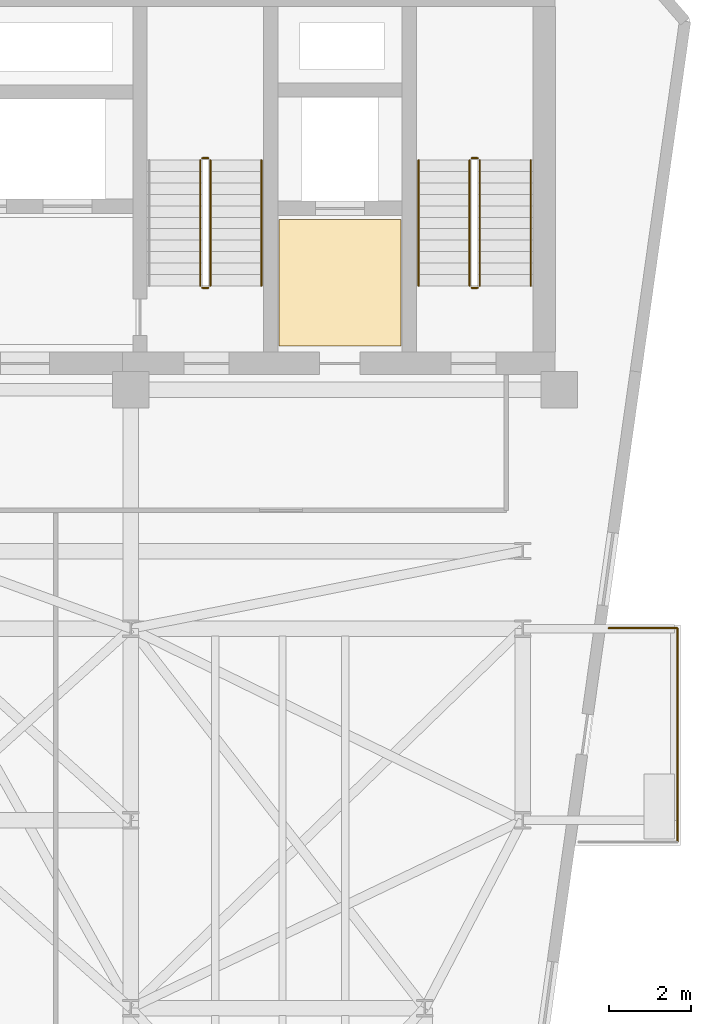
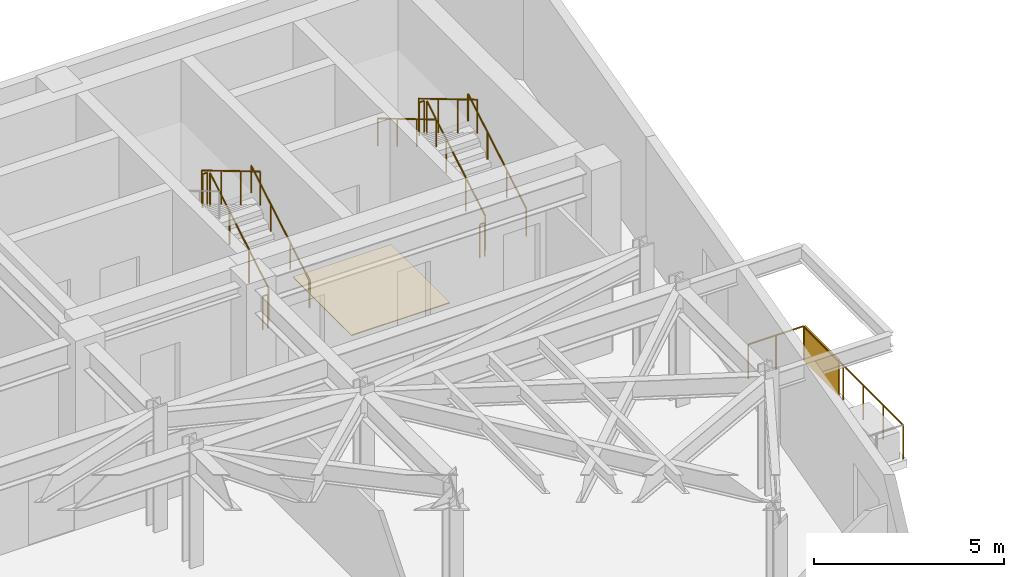
# One storey, part 27 of 27: 13 railings, 1 covering, 1 shading device.
"""IFC4 building model written with IfcOpenShell, lengths in metres."""

from ifc_helpers import new_model, si_unit, direction, frame, origin, origin_2d, place, context, subcontext, project, spatial, polyline, rectangle, circle, outline, extrude, material, layer, layer_set, type_object, element, save


model = new_model("IFC4")

# Units and contexts
model_context = context("Model", 3, precision=1e-05, world=origin(), true_north=direction((0.0, 1.0)))
body_context = subcontext(model_context, "Body", "Model", "MODEL_VIEW")
ifc_project = project(units=[si_unit("LENGTHUNIT", "METRE"), si_unit("AREAUNIT", "SQUARE_METRE"), si_unit("VOLUMEUNIT", "CUBIC_METRE"), si_unit("PLANEANGLEUNIT", "RADIAN"), si_unit("MASSUNIT", "GRAM", prefix="KILO")], contexts=[model_context])

# Site, building, storey
site_placement = place(None, origin())
site = spatial("IfcSite", under=ifc_project, at=site_placement, CompositionType="ELEMENT")
building_placement = place(site_placement, origin())
building = spatial("IfcBuilding", under=site, at=building_placement, Name="Kravanh Interchange Tower", CompositionType="ELEMENT")
storey_placement = place(building_placement, frame((0.0, 0.0, 164.5)))
storey = spatial("IfcBuildingStorey", under=building, at=storey_placement, Name="L39", CompositionType="ELEMENT", Elevation=164.5)

# Covering
ifc_material_1 = material(Name="Cementitious Terrazzo Tile")
ifc_layer_1 = layer(ifc_material_1, 0.030029296875)
ifc_layer_set_1 = layer_set([ifc_layer_1], Name="Honed Terrazzo Lobby Flooring 30mm")
covering_type = type_object("IfcCoveringType", Name="Honed Terrazzo Lobby Flooring 30mm", PredefinedType="FLOORING", material=ifc_layer_set_1)
covering_placement = place(storey_placement, origin())
element("IfcCovering", 1, at=covering_placement, inside=storey, type_object=covering_type, Name="L39 Service Lift Lobby Floor Finish", PredefinedType="FLOORING", context=body_context, shape_type="SweptSolid", body=[
    extrude(outline(polyline([(59.6298828125, 41.52001953125), (62.6201171875, 41.52001953125), (62.6201171875, 38.429931640625), (59.6298828125, 38.429931640625), (59.6298828125, 41.52001953125)])), origin(), (0.0, 0.0, 1.0), 0.030029296875),
])

# Shading device
ifc_material_2 = material(Name="Perforated Anodised Bronze Aluminium", Category="aluminium")
ifc_layer_2 = layer(ifc_material_2, 0.0400390625)
ifc_layer_set_2 = layer_set([ifc_layer_2], Name="Perforated Bronze Balcony Privacy Screen 1150mm")
shading_device_type = type_object("IfcShadingDeviceType", Name="Perforated Bronze Balcony Privacy Screen 1150mm", PredefinedType="USERDEFINED", material=ifc_layer_set_2)
shading_device_placement = place(storey_placement, frame((69.39306640625, 30.5400390625, 0.0), z_axis=(0.0, 0.0, 1.0), x_axis=(1.0, 0.0, 0.0)))
element("IfcShadingDevice", 2, at=shading_device_placement, inside=storey, type_object=shading_device_type, Name="L39 E Perforated Bronze BALCONY SCREEN", ObjectType="SCREEN", PredefinedType="USERDEFINED", context=body_context, shape_type="SweptSolid", body=[
    extrude(rectangle(XDim=0.0400390625, YDim=1.800048828125, at=origin_2d()), origin(), (0.0, 0.0, 1.0), 1.14990234375),
])

# Railings
ifc_material_3 = material(Name="Stainless Steel 316", Category="steel")
ifc_layer_3 = layer(ifc_material_3, 0.06005859375)
ifc_layer_set_3 = layer_set([ifc_layer_3], Name="Perimeter Balcony and Terrace Guardrail Stainless 316 1120mm")
railing_type_1 = type_object("IfcRailingType", Name="Perimeter Balcony and Terrace Guardrail Stainless 316 1120mm", PredefinedType="GUARDRAIL", material=ifc_layer_set_3)
railing_1_placement = place(storey_placement, frame((69.39306640625, 31.510009765625, 0.0)))
element("IfcRailing", 3, at=railing_1_placement, inside=storey, type_object=railing_type_1, Name="L39 E Balcony Guardrail 1", PredefinedType="GUARDRAIL", context=body_context, shape_type="SweptSolid", body=[
    extrude(circle(Radius=0.02392578125, at=origin_2d()), frame((0.0, 0.0, 1.09619140625), z_axis=(0.0, -1.0, 0.0), x_axis=(1.0, 0.0, 0.0)), (0.0, 0.0, 1.0), 5.239990234375),
    extrude(circle(Radius=0.02099609375, at=origin_2d()), origin(), (0.0, 0.0, 1.0), 1.072021484375),
    extrude(circle(Radius=0.02099609375, at=origin_2d()), frame((0.0, -1.048095703125, 0.0)), (0.0, 0.0, 1.0), 1.072021484375),
    extrude(circle(Radius=0.02099609375, at=origin_2d()), frame((0.0, -2.095947265625, 0.0)), (0.0, 0.0, 1.0), 1.072021484375),
    extrude(circle(Radius=0.02099609375, at=origin_2d()), frame((0.0, -3.14404296875, 0.0)), (0.0, 0.0, 1.0), 1.072021484375),
    extrude(circle(Radius=0.02099609375, at=origin_2d()), frame((0.0, -4.19189453125, 0.0)), (0.0, 0.0, 1.0), 1.072021484375),
    extrude(circle(Radius=0.02099609375, at=origin_2d()), frame((0.0, -5.239990234375, 0.0)), (0.0, 0.0, 1.0), 1.072021484375),
])
railing_2_placement = place(storey_placement, frame((67.7080078125, 31.510009765625, 0.0)))
element("IfcRailing", 4, at=railing_2_placement, inside=storey, type_object=railing_type_1, Name="L39 E Balcony Guardrail 3", PredefinedType="GUARDRAIL", context=body_context, shape_type="SweptSolid", body=[
    extrude(circle(Radius=0.02392578125, at=origin_2d()), frame((0.0, 0.0, 1.09619140625), z_axis=(1.0, 0.0, 0.0), x_axis=(0.0, 1.0, 0.0)), (0.0, 0.0, 1.0), 1.68505859375),
    extrude(circle(Radius=0.02099609375, at=origin_2d()), origin(), (0.0, 0.0, 1.0), 1.072021484375),
    extrude(circle(Radius=0.02099609375, at=origin_2d()), frame((0.842529296875, 0.0, 0.0)), (0.0, 0.0, 1.0), 1.072021484375),
    extrude(circle(Radius=0.02099609375, at=origin_2d()), frame((1.68505859375, 0.0, 0.0)), (0.0, 0.0, 1.0), 1.072021484375),
])
ifc_material_4 = material(Name="Structural Steel S355", Category="steel")
ifc_layer_4 = layer(ifc_material_4, 0.050048828125)
ifc_layer_set_4 = layer_set([ifc_layer_4], Name="Stair Well Guardrail Structural Steel S355 1100mm")
railing_type_2 = type_object("IfcRailingType", Name="Stair Well Guardrail Structural Steel S355 1100mm", PredefinedType="GUARDRAIL", material=ifc_layer_set_4)
railing_3_placement = place(storey_placement, frame((64.550048828125, 39.89990234375, 0.166748046875)))
element("IfcRailing", 5, at=railing_3_placement, inside=storey, type_object=railing_type_2, Name="L39 ST1 stair guard 1", PredefinedType="GUARDRAIL", context=body_context, shape_type="SweptSolid", body=[
    extrude(circle(Radius=0.02392578125, at=origin_2d()), frame((0.0, 0.0, 1.076171875), z_axis=(0.0, 0.859308565015, 0.511457515432), x_axis=(-1.0, 0.0, 0.0)), (0.0, 0.0, 1.0), 3.58447265625),
    extrude(circle(Radius=0.02099609375, at=origin_2d()), origin(), (0.0, 0.0, 1.0), 1.052001953125),
    extrude(circle(Radius=0.02099609375, at=origin_2d()), frame((0.0, 1.026611328125, 0.611083984375)), (0.0, 0.0, 1.0), 1.052001953125),
    extrude(circle(Radius=0.02099609375, at=origin_2d()), frame((0.0, 2.053466796875, 1.22216796875)), (0.0, 0.0, 1.0), 1.052001953125),
    extrude(circle(Radius=0.02099609375, at=origin_2d()), frame((0.0, 3.080078125, 1.833251953125)), (0.0, 0.0, 1.0), 1.052001953125),
])
railing_4_placement = place(storey_placement, frame((64.5, 43.030029296875, 2.0)))
element("IfcRailing", 6, at=railing_4_placement, inside=storey, type_object=railing_type_2, Name="L39 ST1 stair guard 2", PredefinedType="GUARDRAIL", context=body_context, shape_type="SweptSolid", body=[
    extrude(circle(Radius=0.02392578125, at=origin_2d()), frame((0.0, 0.0, 1.076171875), z_axis=(-1.0, 0.0, 0.0), x_axis=(0.0, -1.0, 0.0)), (0.0, 0.0, 1.0), 0.14990234375),
    extrude(circle(Radius=0.02099609375, at=origin_2d()), origin(), (0.0, 0.0, 1.0), 1.052001953125),
    extrude(circle(Radius=0.02099609375, at=origin_2d()), frame((-0.14990234375, 0.0, 0.0)), (0.0, 0.0, 1.0), 1.052001953125),
])
railing_5_placement = place(storey_placement, frame((64.300048828125, 42.97998046875, 2.166748046875)))
element("IfcRailing", 7, at=railing_5_placement, inside=storey, type_object=railing_type_2, Name="L39 ST1 stair guard 3", PredefinedType="GUARDRAIL", context=body_context, shape_type="SweptSolid", body=[
    extrude(circle(Radius=0.02392578125, at=origin_2d()), frame((0.0, 0.0, 1.076171875), z_axis=(0.0, -0.859308565015, 0.511457515432), x_axis=(1.0, 0.0, 0.0)), (0.0, 0.0, 1.0), 3.58447265625),
    extrude(circle(Radius=0.02099609375, at=origin_2d()), origin(), (0.0, 0.0, 1.0), 1.052001953125),
    extrude(circle(Radius=0.02099609375, at=origin_2d()), frame((0.0, -1.026611328125, 0.611083984375)), (0.0, 0.0, 1.0), 1.052001953125),
    extrude(circle(Radius=0.02099609375, at=origin_2d()), frame((0.0, -2.053466796875, 1.22216796875)), (0.0, 0.0, 1.0), 1.052001953125),
    extrude(circle(Radius=0.02099609375, at=origin_2d()), frame((0.0, -3.080078125, 1.833251953125)), (0.0, 0.0, 1.0), 1.052001953125),
])
railing_6_placement = place(storey_placement, frame((64.5, 39.85009765625, 0.0)))
element("IfcRailing", 8, at=railing_6_placement, inside=storey, type_object=railing_type_2, Name="L39 ST1 stair guard 4", PredefinedType="GUARDRAIL", context=body_context, shape_type="SweptSolid", body=[
    extrude(circle(Radius=0.02392578125, at=origin_2d()), frame((0.0, 0.0, 1.076171875), z_axis=(-1.0, 0.0, 0.0), x_axis=(0.0, -1.0, 0.0)), (0.0, 0.0, 1.0), 0.14990234375),
    extrude(circle(Radius=0.02099609375, at=origin_2d()), origin(), (0.0, 0.0, 1.0), 1.052001953125),
    extrude(circle(Radius=0.02099609375, at=origin_2d()), frame((-0.14990234375, 0.0, 0.0)), (0.0, 0.0, 1.0), 1.052001953125),
])
railing_7_placement = place(storey_placement, frame((57.949951171875, 39.89990234375, 0.166748046875)))
element("IfcRailing", 9, at=railing_7_placement, inside=storey, type_object=railing_type_2, Name="L39 ST2 stair guard 1", PredefinedType="GUARDRAIL", context=body_context, shape_type="SweptSolid", body=[
    extrude(circle(Radius=0.02392578125, at=origin_2d()), frame((0.0, 0.0, 1.076171875), z_axis=(0.0, 0.859308565015, 0.511457515432), x_axis=(-1.0, 0.0, 0.0)), (0.0, 0.0, 1.0), 3.58447265625),
    extrude(circle(Radius=0.02099609375, at=origin_2d()), origin(), (0.0, 0.0, 1.0), 1.052001953125),
    extrude(circle(Radius=0.02099609375, at=origin_2d()), frame((0.0, 1.026611328125, 0.611083984375)), (0.0, 0.0, 1.0), 1.052001953125),
    extrude(circle(Radius=0.02099609375, at=origin_2d()), frame((0.0, 2.053466796875, 1.22216796875)), (0.0, 0.0, 1.0), 1.052001953125),
    extrude(circle(Radius=0.02099609375, at=origin_2d()), frame((0.0, 3.080078125, 1.833251953125)), (0.0, 0.0, 1.0), 1.052001953125),
])
railing_8_placement = place(storey_placement, frame((57.89990234375, 43.030029296875, 2.0)))
element("IfcRailing", 10, at=railing_8_placement, inside=storey, type_object=railing_type_2, Name="L39 ST2 stair guard 2", PredefinedType="GUARDRAIL", context=body_context, shape_type="SweptSolid", body=[
    extrude(circle(Radius=0.02392578125, at=origin_2d()), frame((0.0, 0.0, 1.076171875), z_axis=(-1.0, 0.0, 0.0), x_axis=(0.0, -1.0, 0.0)), (0.0, 0.0, 1.0), 0.14990234375),
    extrude(circle(Radius=0.02099609375, at=origin_2d()), origin(), (0.0, 0.0, 1.0), 1.052001953125),
    extrude(circle(Radius=0.02099609375, at=origin_2d()), frame((-0.14990234375, 0.0, 0.0)), (0.0, 0.0, 1.0), 1.052001953125),
])
railing_9_placement = place(storey_placement, frame((57.699951171875, 42.97998046875, 2.166748046875)))
element("IfcRailing", 11, at=railing_9_placement, inside=storey, type_object=railing_type_2, Name="L39 ST2 stair guard 3", PredefinedType="GUARDRAIL", context=body_context, shape_type="SweptSolid", body=[
    extrude(circle(Radius=0.02392578125, at=origin_2d()), frame((0.0, 0.0, 1.076171875), z_axis=(0.0, -0.859308565015, 0.511457515432), x_axis=(1.0, 0.0, 0.0)), (0.0, 0.0, 1.0), 3.58447265625),
    extrude(circle(Radius=0.02099609375, at=origin_2d()), origin(), (0.0, 0.0, 1.0), 1.052001953125),
    extrude(circle(Radius=0.02099609375, at=origin_2d()), frame((0.0, -1.026611328125, 0.611083984375)), (0.0, 0.0, 1.0), 1.052001953125),
    extrude(circle(Radius=0.02099609375, at=origin_2d()), frame((0.0, -2.053466796875, 1.22216796875)), (0.0, 0.0, 1.0), 1.052001953125),
    extrude(circle(Radius=0.02099609375, at=origin_2d()), frame((0.0, -3.080078125, 1.833251953125)), (0.0, 0.0, 1.0), 1.052001953125),
])
railing_10_placement = place(storey_placement, frame((57.89990234375, 39.85009765625, 0.0)))
element("IfcRailing", 12, at=railing_10_placement, inside=storey, type_object=railing_type_2, Name="L39 ST2 stair guard 4", PredefinedType="GUARDRAIL", context=body_context, shape_type="SweptSolid", body=[
    extrude(circle(Radius=0.02392578125, at=origin_2d()), frame((0.0, 0.0, 1.076171875), z_axis=(-1.0, 0.0, 0.0), x_axis=(0.0, -1.0, 0.0)), (0.0, 0.0, 1.0), 0.14990234375),
    extrude(circle(Radius=0.02099609375, at=origin_2d()), origin(), (0.0, 0.0, 1.0), 1.052001953125),
    extrude(circle(Radius=0.02099609375, at=origin_2d()), frame((-0.14990234375, 0.0, 0.0)), (0.0, 0.0, 1.0), 1.052001953125),
])
ifc_material_5 = material(Name="Stainless Steel 304", Category="steel")
ifc_layer_5 = layer(ifc_material_5, 0.044921875)
ifc_layer_set_5 = layer_set([ifc_layer_5], Name="Tubular Stair Handrail Stainless 304 900mm")
railing_type_3 = type_object("IfcRailingType", Name="Tubular Stair Handrail Stainless 304 900mm", PredefinedType="HANDRAIL", material=ifc_layer_set_5)
railing_11_placement = place(storey_placement, frame((65.800048828125, 39.89990234375, 0.166748046875)))
element("IfcRailing", 13, at=railing_11_placement, inside=storey, type_object=railing_type_3, Name="L39 ST1 stair handrail 1", PredefinedType="HANDRAIL", context=body_context, shape_type="SweptSolid", body=[
    extrude(circle(Radius=0.02392578125, at=origin_2d()), frame((0.0, 0.0, 0.8759765625), z_axis=(0.0, 0.859308565015, 0.511457515432), x_axis=(-1.0, 0.0, 0.0)), (0.0, 0.0, 1.0), 3.58447265625),
    extrude(circle(Radius=0.02099609375, at=origin_2d()), origin(), (0.0, 0.0, 1.0), 0.851806640625),
    extrude(circle(Radius=0.02099609375, at=origin_2d()), frame((0.0, 1.026611328125, 0.611083984375)), (0.0, 0.0, 1.0), 0.851806640625),
    extrude(circle(Radius=0.02099609375, at=origin_2d()), frame((0.0, 2.053466796875, 1.22216796875)), (0.0, 0.0, 1.0), 0.851806640625),
    extrude(circle(Radius=0.02099609375, at=origin_2d()), frame((0.0, 3.080078125, 1.833251953125)), (0.0, 0.0, 1.0), 0.851806640625),
])
railing_12_placement = place(storey_placement, frame((63.050048828125, 42.97998046875, 2.166748046875)))
element("IfcRailing", 14, at=railing_12_placement, inside=storey, type_object=railing_type_3, Name="L39 ST1 stair handrail 2", PredefinedType="HANDRAIL", context=body_context, shape_type="SweptSolid", body=[
    extrude(circle(Radius=0.02392578125, at=origin_2d()), frame((0.0, 0.0, 0.8759765625), z_axis=(0.0, -0.859308565015, 0.511457515432), x_axis=(1.0, 0.0, 0.0)), (0.0, 0.0, 1.0), 3.58447265625),
    extrude(circle(Radius=0.02099609375, at=origin_2d()), origin(), (0.0, 0.0, 1.0), 0.851806640625),
    extrude(circle(Radius=0.02099609375, at=origin_2d()), frame((0.0, -1.026611328125, 0.611083984375)), (0.0, 0.0, 1.0), 0.851806640625),
    extrude(circle(Radius=0.02099609375, at=origin_2d()), frame((0.0, -2.053466796875, 1.22216796875)), (0.0, 0.0, 1.0), 0.851806640625),
    extrude(circle(Radius=0.02099609375, at=origin_2d()), frame((0.0, -3.080078125, 1.833251953125)), (0.0, 0.0, 1.0), 0.851806640625),
])
railing_13_placement = place(storey_placement, frame((59.199951171875, 39.89990234375, 0.166748046875)))
element("IfcRailing", 15, at=railing_13_placement, inside=storey, type_object=railing_type_3, Name="L39 ST2 stair handrail 1", PredefinedType="HANDRAIL", context=body_context, shape_type="SweptSolid", body=[
    extrude(circle(Radius=0.02392578125, at=origin_2d()), frame((0.0, 0.0, 0.8759765625), z_axis=(0.0, 0.859308565015, 0.511457515432), x_axis=(-1.0, 0.0, 0.0)), (0.0, 0.0, 1.0), 3.58447265625),
    extrude(circle(Radius=0.02099609375, at=origin_2d()), origin(), (0.0, 0.0, 1.0), 0.851806640625),
    extrude(circle(Radius=0.02099609375, at=origin_2d()), frame((0.0, 1.026611328125, 0.611083984375)), (0.0, 0.0, 1.0), 0.851806640625),
    extrude(circle(Radius=0.02099609375, at=origin_2d()), frame((0.0, 2.053466796875, 1.22216796875)), (0.0, 0.0, 1.0), 0.851806640625),
    extrude(circle(Radius=0.02099609375, at=origin_2d()), frame((0.0, 3.080078125, 1.833251953125)), (0.0, 0.0, 1.0), 0.851806640625),
])

save(model, "model.ifc")
